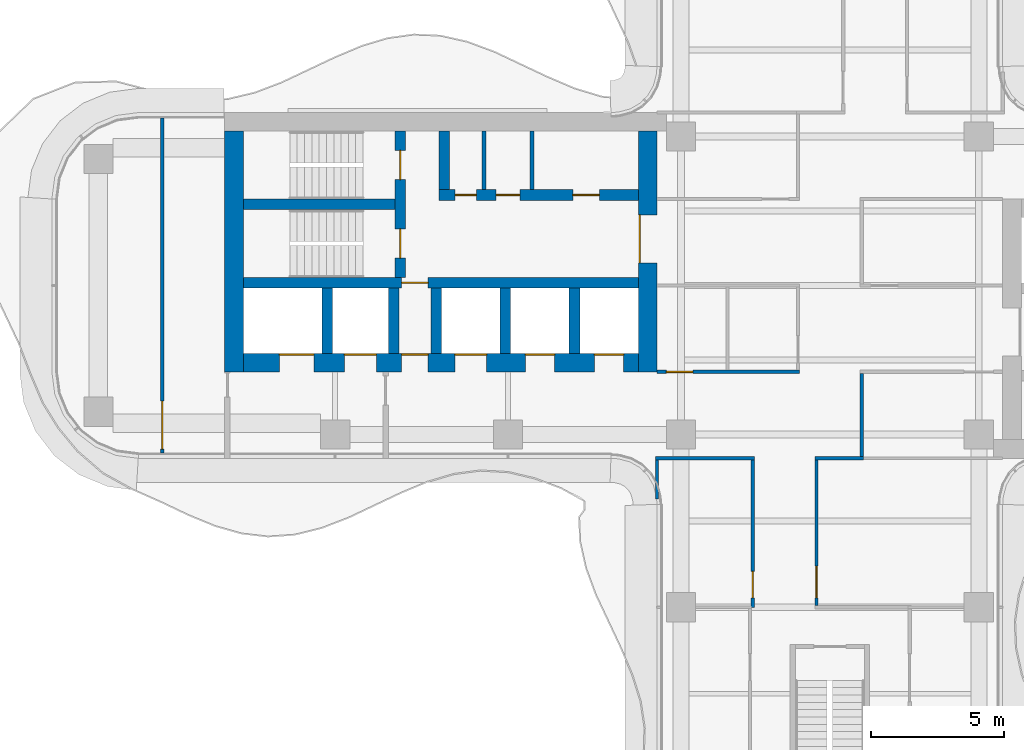
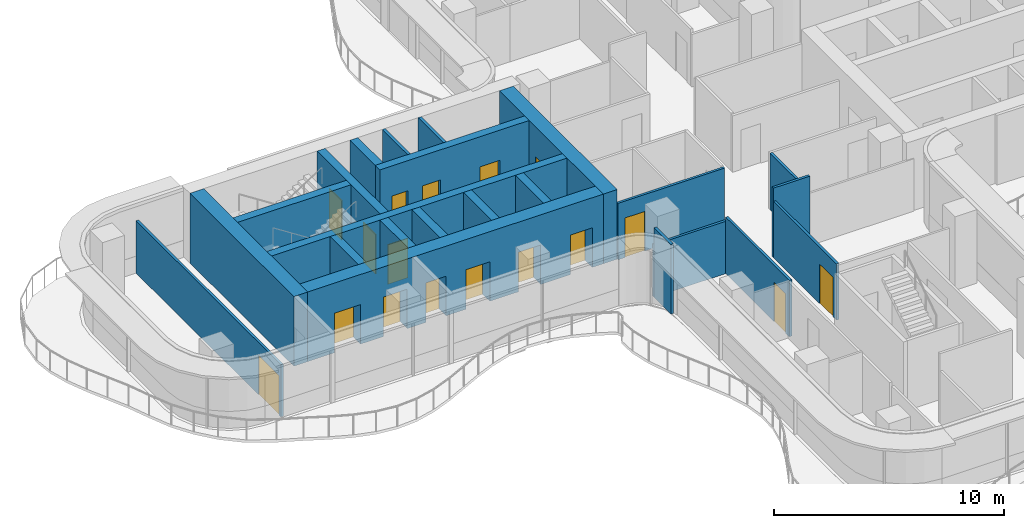
# One storey, part 12 of 17: 23 walls, 17 doors, 17 openings.
"""IFC4 building model written with IfcOpenShell, lengths in metres."""

from ifc_helpers import new_model, si_unit, direction, frame, frame_2d, origin, place, context, subcontext, project, spatial, rectangle, extrude, source, transform, mapped, material, layer, layer_set, type_object, element, fill, save


model = new_model("IFC4")

# Units and contexts
model_context = context("Model", 3, precision=1e-05, world=origin(), true_north=direction((0.0, 1.0)))
body_context = subcontext(model_context, "Body", "Model", "MODEL_VIEW")
ifc_project = project(units=[si_unit("LENGTHUNIT", "METRE"), si_unit("AREAUNIT", "SQUARE_METRE"), si_unit("VOLUMEUNIT", "CUBIC_METRE"), si_unit("PLANEANGLEUNIT", "RADIAN"), si_unit("MASSUNIT", "GRAM", prefix="KILO")], contexts=[model_context])

# Site, building, storey
site_placement = place(None, origin())
site = spatial("IfcSite", under=ifc_project, at=site_placement, CompositionType="ELEMENT")
building_placement = place(site_placement, origin())
building = spatial("IfcBuilding", under=site, at=building_placement, Name="Trellis Farm Tower", CompositionType="ELEMENT")
storey_placement = place(building_placement, frame((0.0, 0.0, 232.39990234375)))
storey = spatial("IfcBuildingStorey", under=building, at=storey_placement, Name="L51", CompositionType="ELEMENT", Elevation=232.39990234375)

# Wall, opening, door
ifc_material_1 = material(Name="Concrete C60/75", Category="concrete")
ifc_layer_1 = layer(ifc_material_1, 0.699951171875)
ifc_layer_set_1 = layer_set([ifc_layer_1], Name="CORE OUTER WALL 700 CONCRETE C60/75")
wall_type_1 = type_object("IfcWallType", Name="CORE OUTER WALL 700 CONCRETE C60/75", PredefinedType="SHEAR", material=ifc_layer_set_1)
shared_shape_1 = source(origin(), body_context, "Body", "SweptSolid", [
    extrude(rectangle(XDim=9.050048828125, YDim=0.699951171875, at=frame_2d((4.52490234375, 0.0))), origin(), (0.0, 0.0, 1.0), 3.7001953125),
])
wall_1_placement = place(storey_placement, frame((-6.85009765625, 5.800048828125, 0.0), z_axis=(0.0, 0.0, 1.0), x_axis=(0.0, -1.0, 0.0)))
wall_1 = element("IfcWall", 1, at=wall_1_placement, inside=storey, type_object=wall_type_1, Name="Core wall", PredefinedType="SHEAR", context=body_context, shape_type="MappedRepresentation", body=[
    mapped(shared_shape_1, transform((0.0, 0.0, 0.0))),
])
shared_shape_2 = source(origin(), body_context, "Body", "SweptSolid", [
    extrude(rectangle(XDim=1.800048828125, YDim=2.10009765625, at=frame_2d((0.89990234375, 1.050048828125))), frame((0.0, 0.360107421875, 0.0), z_axis=(0.0, -1.0, 0.0), x_axis=(1.0, 0.0, 0.0)), (0.0, 0.0, 1.0), 0.72021484375),
])
opening_1_placement = place(wall_1_placement, frame((3.14990234375, 0.0, 0.0)))
opening_1 = element("IfcOpeningElement", 2, at=opening_1_placement, cuts=wall_1, Name="Opening DC87", PredefinedType="OPENING", context=body_context, shape_type="MappedRepresentation", body=[
    mapped(shared_shape_2, transform((0.0, 0.0, 0.0))),
])
ifc_material_2 = material(Name="Steel", Category="steel")
door_type_1 = type_object("IfcDoorType", Name="CORE FIRE DOOR DOUBLE 1800 X 2100", OperationType="DOUBLE_DOOR_SINGLE_SWING", PredefinedType="DOOR", material=ifc_material_2)
shared_shape_3 = source(origin(), body_context, "Body", "SweptSolid", [
    extrude(rectangle(XDim=1.800048828125, YDim=2.10009765625, at=frame_2d((0.89990234375, 1.050048828125))), frame((0.0, -0.27490234375, 0.0), z_axis=(0.0, -1.0, 0.0), x_axis=(1.0, 0.0, 0.0)), (0.0, 0.0, 1.0), 0.050048828125),
])
door_1_placement = place(opening_1_placement, origin())
door_1 = element("IfcDoor", 3, at=door_1_placement, inside=storey, type_object=door_type_1, Name="Core door", OperationType="DOUBLE_DOOR_SINGLE_SWING", OverallHeight=2.10009765625, OverallWidth=1.800048828125, PredefinedType="DOOR", context=body_context, shape_type="MappedRepresentation", body=[
    mapped(shared_shape_3, transform((0.0, 0.0, 0.0))),
])
fill(opening_1, door_1)

# Walls
wall_2_placement = place(storey_placement, frame((-22.39990234375, 5.800048828125, 0.0), z_axis=(0.0, 0.0, 1.0), x_axis=(0.0, -1.0, 0.0)))
element("IfcWall", 4, at=wall_2_placement, inside=storey, type_object=wall_type_1, Name="Core wall", PredefinedType="SHEAR", context=body_context, shape_type="MappedRepresentation", body=[
    mapped(shared_shape_1, transform((0.0, 0.0, 0.0))),
])
ifc_layer_2 = layer(ifc_material_1, 0.39990234375)
ifc_layer_set_2 = layer_set([ifc_layer_2], Name="CORE INNER WALL 400 CONCRETE C60/75")
wall_type_2 = type_object("IfcWallType", Name="CORE INNER WALL 400 CONCRETE C60/75", PredefinedType="SHEAR", material=ifc_layer_set_2)
shared_shape_4 = source(origin(), body_context, "Body", "SweptSolid", [
    extrude(rectangle(XDim=2.449951171875, YDim=0.39990234375, at=frame_2d((1.22509765625, 0.0))), origin(), (0.0, 0.0, 1.0), 3.7001953125),
])
for number, where, z_axis, x_axis, name in (
    (5, (-9.60009765625, -0.10009765625, 0.0), (0.0, 0.0, 1.0), (0.0, -1.0, 0.0), "Core wall"),
    (6, (-12.199951171875, -0.10009765625, 0.0), (0.0, 0.0, 1.0), (0.0, -1.0, 0.0), "Core wall"),
    (7, (-14.800048828125, -0.10009765625, 0.0), (0.0, 0.0, 1.0), (0.0, -1.0, 0.0), "Core wall"),
    (8, (-16.39990234375, -0.10009765625, 0.0), (0.0, 0.0, 1.0), (0.0, -1.0, 0.0), "Core wall"),
    (9, (-18.89990234375, -0.10009765625, 0.0), (0.0, 0.0, 1.0), (0.0, -1.0, 0.0), "Core wall"),
):
    element("IfcWall", number, at=place(storey_placement, frame(where, z_axis=z_axis, x_axis=x_axis)), inside=storey, type_object=wall_type_2, Name=name, PredefinedType="SHEAR", context=body_context, shape_type="MappedRepresentation", body=[
        mapped(shared_shape_4, transform((0.0, 0.0, 0.0))),
    ])

# Wall, openings, doors
shared_shape_5 = source(origin(), body_context, "Body", "SweptSolid", [
    extrude(rectangle(XDim=14.85009765625, YDim=0.699951171875, at=frame_2d((7.425048828125, 0.0))), origin(), (0.0, 0.0, 1.0), 3.7001953125),
])
wall_3_placement = place(storey_placement, frame((-7.199951171875, -2.89990234375, 0.0), z_axis=(0.0, 0.0, 1.0), x_axis=(-1.0, 0.0, 0.0)))
wall_3 = element("IfcWall", 10, at=wall_3_placement, inside=storey, type_object=wall_type_1, Name="Core wall", PredefinedType="SHEAR", context=body_context, shape_type="MappedRepresentation", body=[
    mapped(shared_shape_5, transform((0.0, 0.0, 0.0))),
])
shared_shape_6 = source(origin(), body_context, "Body", "SweptSolid", [
    extrude(rectangle(XDim=1.10009765625, YDim=2.10009765625, at=frame_2d((0.550048828125, 1.050048828125))), frame((0.0, 0.360107421875, 0.0), z_axis=(0.0, -1.0, 0.0), x_axis=(1.0, 0.0, 0.0)), (0.0, 0.0, 1.0), 0.72021484375),
])
opening_2_placement = place(wall_3_placement, frame((0.550048828125, 0.0, 0.0)))
opening_2 = element("IfcOpeningElement", 11, at=opening_2_placement, cuts=wall_3, Name="Opening LD12", PredefinedType="OPENING", context=body_context, shape_type="MappedRepresentation", body=[
    mapped(shared_shape_6, transform((0.0, 0.0, 0.0))),
])
opening_3_placement = place(wall_3_placement, frame((3.14990234375, 0.0, 0.0)))
opening_3 = element("IfcOpeningElement", 12, at=opening_3_placement, cuts=wall_3, Name="Opening LD13", PredefinedType="OPENING", context=body_context, shape_type="MappedRepresentation", body=[
    mapped(shared_shape_6, transform((0.0, 0.0, 0.0))),
])
shared_shape_7 = source(origin(), body_context, "Body", "SweptSolid", [
    extrude(rectangle(XDim=1.199951171875, YDim=2.10009765625, at=frame_2d((0.60009765625, 1.050048828125))), frame((0.0, 0.360107421875, 0.0), z_axis=(0.0, -1.0, 0.0), x_axis=(1.0, 0.0, 0.0)), (0.0, 0.0, 1.0), 0.72021484375),
])
opening_4_placement = place(wall_3_placement, frame((5.699951171875, 0.0, 0.0)))
opening_4 = element("IfcOpeningElement", 13, at=opening_4_placement, cuts=wall_3, Name="Opening LD14", PredefinedType="OPENING", context=body_context, shape_type="MappedRepresentation", body=[
    mapped(shared_shape_7, transform((0.0, 0.0, 0.0))),
])
shared_shape_8 = source(origin(), body_context, "Body", "SweptSolid", [
    extrude(rectangle(XDim=1.300048828125, YDim=2.10009765625, at=frame_2d((0.64990234375, 1.050048828125))), frame((0.0, 0.360107421875, 0.0), z_axis=(0.0, -1.0, 0.0), x_axis=(1.0, 0.0, 0.0)), (0.0, 0.0, 1.0), 0.72021484375),
])
opening_5_placement = place(wall_3_placement, frame((12.199951171875, 0.0, 0.0)))
opening_5 = element("IfcOpeningElement", 14, at=opening_5_placement, cuts=wall_3, Name="Opening LD15", PredefinedType="OPENING", context=body_context, shape_type="MappedRepresentation", body=[
    mapped(shared_shape_8, transform((0.0, 0.0, 0.0))),
])
opening_6_placement = place(wall_3_placement, frame((9.85009765625, 0.0, 0.0)))
opening_6 = element("IfcOpeningElement", 15, at=opening_6_placement, cuts=wall_3, Name="Opening LD16", PredefinedType="OPENING", context=body_context, shape_type="MappedRepresentation", body=[
    mapped(shared_shape_7, transform((0.0, 0.0, 0.0))),
])
shared_shape_9 = source(origin(), body_context, "Body", "SweptSolid", [
    extrude(rectangle(XDim=1.0, YDim=2.10009765625, at=frame_2d((0.5, 1.050048828125))), frame((0.0, 0.360107421875, 0.0), z_axis=(0.0, -1.0, 0.0), x_axis=(1.0, 0.0, 0.0)), (0.0, 0.0, 1.0), 0.72021484375),
])
opening_7_placement = place(wall_3_placement, frame((7.89990234375, 0.0, 0.0)))
opening_7 = element("IfcOpeningElement", 16, at=opening_7_placement, cuts=wall_3, Name="Opening DC92", PredefinedType="OPENING", context=body_context, shape_type="MappedRepresentation", body=[
    mapped(shared_shape_9, transform((0.0, 0.0, 0.0))),
])
door_type_2 = type_object("IfcDoorType", Name="CORE FIRE DOOR 1000 X 2100", OperationType="NOTDEFINED", PredefinedType="DOOR", material=ifc_material_2)
shared_shape_10 = source(origin(), body_context, "Body", "SweptSolid", [
    extrude(rectangle(XDim=1.0, YDim=2.10009765625, at=frame_2d((0.5, 1.050048828125))), frame((0.0, -0.27490234375, 0.0), z_axis=(0.0, -1.0, 0.0), x_axis=(1.0, 0.0, 0.0)), (0.0, 0.0, 1.0), 0.050048828125),
])
door_2_placement = place(opening_7_placement, origin())
door_2 = element("IfcDoor", 17, at=door_2_placement, inside=storey, type_object=door_type_2, Name="Core door", OperationType="SINGLE_SWING_LEFT", OverallHeight=2.10009765625, OverallWidth=1.0, PredefinedType="DOOR", context=body_context, shape_type="MappedRepresentation", body=[
    mapped(shared_shape_10, transform((0.0, 0.0, 0.0))),
])
fill(opening_7, door_2)
ifc_material_3 = material(Name="Stainless steel", Category="steel")
door_type_3 = type_object("IfcDoorType", Name="LIFT LANDING DOOR 1300 X 2100", OperationType="DOUBLE_DOOR_SLIDING", PredefinedType="DOOR", material=ifc_material_3)
shared_shape_11 = source(origin(), body_context, "Body", "SweptSolid", [
    extrude(rectangle(XDim=1.300048828125, YDim=2.10009765625, at=frame_2d((0.64990234375, 1.050048828125))), frame((0.0, -0.27490234375, 0.0), z_axis=(0.0, -1.0, 0.0), x_axis=(1.0, 0.0, 0.0)), (0.0, 0.0, 1.0), 0.050048828125),
])
door_3_placement = place(opening_5_placement, origin())
door_3 = element("IfcDoor", 18, at=door_3_placement, inside=storey, type_object=door_type_3, Name="Lift landing door", OperationType="DOUBLE_DOOR_SLIDING", OverallHeight=2.10009765625, OverallWidth=1.300048828125, PredefinedType="DOOR", context=body_context, shape_type="MappedRepresentation", body=[
    mapped(shared_shape_11, transform((0.0, 0.0, 0.0))),
])
fill(opening_5, door_3)
door_type_4 = type_object("IfcDoorType", Name="LIFT LANDING DOOR 1200 X 2100", OperationType="DOUBLE_DOOR_SLIDING", PredefinedType="DOOR", material=ifc_material_3)
shared_shape_12 = source(origin(), body_context, "Body", "SweptSolid", [
    extrude(rectangle(XDim=1.199951171875, YDim=2.10009765625, at=frame_2d((0.60009765625, 1.050048828125))), frame((0.0, -0.27490234375, 0.0), z_axis=(0.0, -1.0, 0.0), x_axis=(1.0, 0.0, 0.0)), (0.0, 0.0, 1.0), 0.050048828125),
])
door_4_placement = place(opening_4_placement, origin())
door_4 = element("IfcDoor", 19, at=door_4_placement, inside=storey, type_object=door_type_4, Name="Lift landing door", OperationType="DOUBLE_DOOR_SLIDING", OverallHeight=2.10009765625, OverallWidth=1.199951171875, PredefinedType="DOOR", context=body_context, shape_type="MappedRepresentation", body=[
    mapped(shared_shape_12, transform((0.0, 0.0, 0.0))),
])
fill(opening_4, door_4)
door_5_placement = place(opening_6_placement, origin())
door_5 = element("IfcDoor", 20, at=door_5_placement, inside=storey, type_object=door_type_4, Name="Lift landing door", OperationType="DOUBLE_DOOR_SLIDING", OverallHeight=2.10009765625, OverallWidth=1.199951171875, PredefinedType="DOOR", context=body_context, shape_type="MappedRepresentation", body=[
    mapped(shared_shape_12, transform((0.0, 0.0, 0.0))),
])
fill(opening_6, door_5)
door_type_5 = type_object("IfcDoorType", Name="LIFT LANDING DOOR 1100 X 2100", OperationType="DOUBLE_DOOR_SLIDING", PredefinedType="DOOR", material=ifc_material_3)
shared_shape_13 = source(origin(), body_context, "Body", "SweptSolid", [
    extrude(rectangle(XDim=1.10009765625, YDim=2.10009765625, at=frame_2d((0.550048828125, 1.050048828125))), frame((0.0, -0.27490234375, 0.0), z_axis=(0.0, -1.0, 0.0), x_axis=(1.0, 0.0, 0.0)), (0.0, 0.0, 1.0), 0.050048828125),
])
door_6_placement = place(opening_2_placement, origin())
door_6 = element("IfcDoor", 21, at=door_6_placement, inside=storey, type_object=door_type_5, Name="Lift landing door", OperationType="DOUBLE_DOOR_SLIDING", OverallHeight=2.10009765625, OverallWidth=1.10009765625, PredefinedType="DOOR", context=body_context, shape_type="MappedRepresentation", body=[
    mapped(shared_shape_13, transform((0.0, 0.0, 0.0))),
])
fill(opening_2, door_6)
door_7_placement = place(opening_3_placement, origin())
door_7 = element("IfcDoor", 22, at=door_7_placement, inside=storey, type_object=door_type_5, Name="Lift landing door", OperationType="DOUBLE_DOOR_SLIDING", OverallHeight=2.10009765625, OverallWidth=1.10009765625, PredefinedType="DOOR", context=body_context, shape_type="MappedRepresentation", body=[
    mapped(shared_shape_13, transform((0.0, 0.0, 0.0))),
])
fill(opening_3, door_7)

shared_shape_14 = source(origin(), body_context, "Body", "SweptSolid", [
    extrude(rectangle(XDim=7.5, YDim=0.39990234375, at=frame_2d((3.75, 0.0))), origin(), (0.0, 0.0, 1.0), 3.7001953125),
])
wall_4_placement = place(storey_placement, frame((-7.199951171875, 3.39990234375, 0.0), z_axis=(0.0, 0.0, 1.0), x_axis=(-1.0, 0.0, 0.0)))
wall_4 = element("IfcWall", 23, at=wall_4_placement, inside=storey, type_object=wall_type_2, Name="Core wall", PredefinedType="SHEAR", context=body_context, shape_type="MappedRepresentation", body=[
    mapped(shared_shape_14, transform((0.0, 0.0, 0.0))),
])
shared_shape_15 = source(origin(), body_context, "Body", "SweptSolid", [
    extrude(rectangle(XDim=1.0, YDim=2.10009765625, at=frame_2d((0.5, 1.050048828125))), frame((0.0, 0.2099609375, 0.0), z_axis=(0.0, -1.0, 0.0), x_axis=(1.0, 0.0, 0.0)), (0.0, 0.0, 1.0), 0.419921875),
])
opening_8_placement = place(wall_4_placement, frame((1.46240234375, 0.0, 0.0)))
opening_8 = element("IfcOpeningElement", 24, at=opening_8_placement, cuts=wall_4, Name="Opening DC141", PredefinedType="OPENING", context=body_context, shape_type="MappedRepresentation", body=[
    mapped(shared_shape_15, transform((0.0, 0.0, 0.0))),
])
shared_shape_16 = source(origin(), body_context, "Body", "SweptSolid", [
    extrude(rectangle(XDim=0.89990234375, YDim=2.10009765625, at=frame_2d((0.449951171875, 1.050048828125))), frame((0.0, 0.2099609375, 0.0), z_axis=(0.0, -1.0, 0.0), x_axis=(1.0, 0.0, 0.0)), (0.0, 0.0, 1.0), 0.419921875),
])
opening_9_placement = place(wall_4_placement, frame((4.449951171875, 0.0, 0.0)))
opening_9 = element("IfcOpeningElement", 25, at=opening_9_placement, cuts=wall_4, Name="Opening DC146", PredefinedType="OPENING", context=body_context, shape_type="MappedRepresentation", body=[
    mapped(shared_shape_16, transform((0.0, 0.0, 0.0))),
])
shared_shape_17 = source(origin(), body_context, "Body", "SweptSolid", [
    extrude(rectangle(XDim=0.800048828125, YDim=2.10009765625, at=frame_2d((0.39990234375, 1.050048828125))), frame((0.0, 0.2099609375, 0.0), z_axis=(0.0, -1.0, 0.0), x_axis=(1.0, 0.0, 0.0)), (0.0, 0.0, 1.0), 0.419921875),
])
opening_10_placement = place(wall_4_placement, frame((6.08740234375, 0.0, 0.0)))
opening_10 = element("IfcOpeningElement", 26, at=opening_10_placement, cuts=wall_4, Name="Opening DC149", PredefinedType="OPENING", context=body_context, shape_type="MappedRepresentation", body=[
    mapped(shared_shape_17, transform((0.0, 0.0, 0.0))),
])
shared_shape_18 = source(origin(), body_context, "Body", "SweptSolid", [
    extrude(rectangle(XDim=1.0, YDim=2.10009765625, at=frame_2d((0.5, 1.050048828125))), frame((0.0, 0.02490234375, 0.0), z_axis=(0.0, -1.0, 0.0), x_axis=(1.0, 0.0, 0.0)), (0.0, 0.0, 1.0), 0.050048828125),
])
door_8_placement = place(opening_8_placement, origin())
door_8 = element("IfcDoor", 27, at=door_8_placement, inside=storey, type_object=door_type_2, Name="Core door", OperationType="SINGLE_SWING_LEFT", OverallHeight=2.10009765625, OverallWidth=1.0, PredefinedType="DOOR", context=body_context, shape_type="MappedRepresentation", body=[
    mapped(shared_shape_18, transform((0.0, 0.0, 0.0))),
])
fill(opening_8, door_8)
door_type_6 = type_object("IfcDoorType", Name="CORE FIRE DOOR 900 X 2100", OperationType="NOTDEFINED", PredefinedType="DOOR", material=ifc_material_2)
shared_shape_19 = source(origin(), body_context, "Body", "SweptSolid", [
    extrude(rectangle(XDim=0.89990234375, YDim=2.10009765625, at=frame_2d((0.449951171875, 1.050048828125))), frame((0.0, 0.02490234375, 0.0), z_axis=(0.0, -1.0, 0.0), x_axis=(1.0, 0.0, 0.0)), (0.0, 0.0, 1.0), 0.050048828125),
])
door_9_placement = place(opening_9_placement, origin())
door_9 = element("IfcDoor", 28, at=door_9_placement, inside=storey, type_object=door_type_6, Name="Core door", OperationType="SINGLE_SWING_RIGHT", OverallHeight=2.10009765625, OverallWidth=0.89990234375, PredefinedType="DOOR", context=body_context, shape_type="MappedRepresentation", body=[
    mapped(shared_shape_19, transform((0.0, 0.0, 0.0))),
])
fill(opening_9, door_9)
door_type_7 = type_object("IfcDoorType", Name="CORE FIRE DOOR 800 X 2100", OperationType="NOTDEFINED", PredefinedType="DOOR", material=ifc_material_2)
shared_shape_20 = source(origin(), body_context, "Body", "SweptSolid", [
    extrude(rectangle(XDim=0.800048828125, YDim=2.10009765625, at=frame_2d((0.39990234375, 1.050048828125))), frame((0.0, 0.02490234375, 0.0), z_axis=(0.0, -1.0, 0.0), x_axis=(1.0, 0.0, 0.0)), (0.0, 0.0, 1.0), 0.050048828125),
])
door_10_placement = place(opening_10_placement, origin())
door_10 = element("IfcDoor", 29, at=door_10_placement, inside=storey, type_object=door_type_7, Name="Core door", OperationType="SINGLE_SWING_LEFT", OverallHeight=2.10009765625, OverallWidth=0.800048828125, PredefinedType="DOOR", context=body_context, shape_type="MappedRepresentation", body=[
    mapped(shared_shape_20, transform((0.0, 0.0, 0.0))),
])
fill(opening_10, door_10)

# Wall, opening, door
shared_shape_21 = source(origin(), body_context, "Body", "SweptSolid", [
    extrude(rectangle(XDim=14.85009765625, YDim=0.39990234375, at=frame_2d((7.425048828125, 0.0))), origin(), (0.0, 0.0, 1.0), 3.7001953125),
])
wall_5_placement = place(storey_placement, frame((-7.199951171875, 0.10009765625, 0.0), z_axis=(0.0, 0.0, 1.0), x_axis=(-1.0, 0.0, 0.0)))
wall_5 = element("IfcWall", 30, at=wall_5_placement, inside=storey, type_object=wall_type_2, Name="Core wall", PredefinedType="SHEAR", context=body_context, shape_type="MappedRepresentation", body=[
    mapped(shared_shape_21, transform((0.0, 0.0, 0.0))),
])
opening_11_placement = place(wall_5_placement, frame((7.89990234375, 0.0, 0.0)))
opening_11 = element("IfcOpeningElement", 31, at=opening_11_placement, cuts=wall_5, Name="Opening DC91", PredefinedType="OPENING", context=body_context, shape_type="MappedRepresentation", body=[
    mapped(shared_shape_15, transform((0.0, 0.0, 0.0))),
])
door_11_placement = place(opening_11_placement, origin())
door_11 = element("IfcDoor", 32, at=door_11_placement, inside=storey, type_object=door_type_2, Name="Core door", OperationType="SINGLE_SWING_RIGHT", OverallHeight=2.10009765625, OverallWidth=1.0, PredefinedType="DOOR", context=body_context, shape_type="MappedRepresentation", body=[
    mapped(shared_shape_18, transform((0.0, 0.0, 0.0))),
])
fill(opening_11, door_11)

# Wall, openings, doors
shared_shape_22 = source(origin(), body_context, "Body", "SweptSolid", [
    extrude(rectangle(XDim=5.5, YDim=0.39990234375, at=frame_2d((2.75, 0.0))), origin(), (0.0, 0.0, 1.0), 3.7001953125),
])
wall_6_placement = place(storey_placement, frame((-16.14990234375, 5.800048828125, 0.0), z_axis=(0.0, 0.0, 1.0), x_axis=(0.0, -1.0, 0.0)))
wall_6 = element("IfcWall", 33, at=wall_6_placement, inside=storey, type_object=wall_type_2, Name="Core wall", PredefinedType="SHEAR", context=body_context, shape_type="MappedRepresentation", body=[
    mapped(shared_shape_22, transform((0.0, 0.0, 0.0))),
])
shared_shape_23 = source(origin(), body_context, "Body", "SweptSolid", [
    extrude(rectangle(XDim=1.10009765625, YDim=2.10009765625, at=frame_2d((0.550048828125, 1.050048828125))), frame((0.0, 0.2099609375, 0.0), z_axis=(0.0, -1.0, 0.0), x_axis=(1.0, 0.0, 0.0)), (0.0, 0.0, 1.0), 0.419921875),
])
opening_12_placement = place(wall_6_placement, frame((0.72509765625, 0.0, 0.0)))
opening_12 = element("IfcOpeningElement", 34, at=opening_12_placement, cuts=wall_6, Name="Opening DC88", PredefinedType="OPENING", context=body_context, shape_type="MappedRepresentation", body=[
    mapped(shared_shape_23, transform((0.0, 0.0, 0.0))),
])
opening_13_placement = place(wall_6_placement, frame((3.675048828125, 0.0, 0.0)))
opening_13 = element("IfcOpeningElement", 35, at=opening_13_placement, cuts=wall_6, Name="Opening DC89", PredefinedType="OPENING", context=body_context, shape_type="MappedRepresentation", body=[
    mapped(shared_shape_23, transform((0.0, 0.0, 0.0))),
])
door_type_8 = type_object("IfcDoorType", Name="CORE FIRE DOOR 1100 X 2100", OperationType="NOTDEFINED", PredefinedType="DOOR", material=ifc_material_2)
shared_shape_24 = source(origin(), body_context, "Body", "SweptSolid", [
    extrude(rectangle(XDim=1.10009765625, YDim=2.10009765625, at=frame_2d((0.550048828125, 1.050048828125))), frame((0.0, 0.02490234375, 0.0), z_axis=(0.0, -1.0, 0.0), x_axis=(1.0, 0.0, 0.0)), (0.0, 0.0, 1.0), 0.050048828125),
])
door_12_placement = place(opening_12_placement, origin())
door_12 = element("IfcDoor", 36, at=door_12_placement, inside=storey, type_object=door_type_8, Name="Core door", OperationType="SINGLE_SWING_RIGHT", OverallHeight=2.10009765625, OverallWidth=1.10009765625, PredefinedType="DOOR", context=body_context, shape_type="MappedRepresentation", body=[
    mapped(shared_shape_24, transform((0.0, 0.0, 0.0))),
])
fill(opening_12, door_12)
door_13_placement = place(opening_13_placement, origin())
door_13 = element("IfcDoor", 37, at=door_13_placement, inside=storey, type_object=door_type_8, Name="Core door", OperationType="SINGLE_SWING_LEFT", OverallHeight=2.10009765625, OverallWidth=1.10009765625, PredefinedType="DOOR", context=body_context, shape_type="MappedRepresentation", body=[
    mapped(shared_shape_24, transform((0.0, 0.0, 0.0))),
])
fill(opening_13, door_13)

# Walls
shared_shape_25 = source(origin(), body_context, "Body", "SweptSolid", [
    extrude(rectangle(XDim=5.699951171875, YDim=0.39990234375, at=frame_2d((2.85009765625, 0.0))), origin(), (0.0, 0.0, 1.0), 3.7001953125),
])
wall_7_placement = place(storey_placement, frame((-16.35009765625, 3.050048828125, 0.0), z_axis=(0.0, 0.0, 1.0), x_axis=(-1.0, 0.0, 0.0)))
element("IfcWall", 38, at=wall_7_placement, inside=storey, type_object=wall_type_2, Name="Core wall", PredefinedType="SHEAR", context=body_context, shape_type="MappedRepresentation", body=[
    mapped(shared_shape_25, transform((0.0, 0.0, 0.0))),
])
shared_shape_26 = source(origin(), body_context, "Body", "SweptSolid", [
    extrude(rectangle(XDim=2.199951171875, YDim=0.39990234375, at=frame_2d((1.10009765625, 0.0))), origin(), (0.0, 0.0, 1.0), 3.7001953125),
])
wall_8_placement = place(storey_placement, frame((-14.5, 5.800048828125, 0.0), z_axis=(0.0, 0.0, 1.0), x_axis=(0.0, -1.0, 0.0)))
element("IfcWall", 39, at=wall_8_placement, inside=storey, type_object=wall_type_2, Name="Core wall", PredefinedType="SHEAR", context=body_context, shape_type="MappedRepresentation", body=[
    mapped(shared_shape_26, transform((0.0, 0.0, 0.0))),
])
ifc_material_4 = material(Name="Masonry blockwork", Category="masonry")
ifc_layer_3 = layer(ifc_material_4, 0.14990234375)
ifc_layer_set_3 = layer_set([ifc_layer_3], Name="CORE PARTITION 150 BLOCKWORK")
wall_type_3 = type_object("IfcWallType", Name="CORE PARTITION 150 BLOCKWORK", PredefinedType="PARTITIONING", material=ifc_layer_set_3)
shared_shape_27 = source(origin(), body_context, "Body", "SweptSolid", [
    extrude(rectangle(XDim=2.199951171875, YDim=0.14990234375, at=frame_2d((1.10009765625, 0.0))), origin(), (0.0, 0.0, 1.0), 3.7001953125),
])
for number, where, z_axis, x_axis, name in (
    (40, (-11.199951171875, 5.800048828125, 0.0), (0.0, 0.0, 1.0), (0.0, -1.0, 0.0), "Core room partition"),
    (41, (-13.0, 5.800048828125, 0.0), (0.0, 0.0, 1.0), (0.0, -1.0, 0.0), "Core room partition"),
):
    element("IfcWall", number, at=place(storey_placement, frame(where, z_axis=z_axis, x_axis=x_axis)), inside=storey, type_object=wall_type_3, Name=name, PredefinedType="PARTITIONING", context=body_context, shape_type="MappedRepresentation", body=[
        mapped(shared_shape_27, transform((0.0, 0.0, 0.0))),
    ])

# Wall, opening, door
ifc_material_5 = material(Name="Plasterboard on steel studs, mineral wool", Category="steel")
ifc_layer_4 = layer(ifc_material_5, 0.125)
ifc_layer_set_4 = layer_set([ifc_layer_4], Name="PARTITION 125 STUD EI 60")
wall_type_4 = type_object("IfcWallType", Name="PARTITION 125 STUD EI 60", PredefinedType="PARTITIONING", material=ifc_layer_set_4)
shared_shape_28 = source(origin(), body_context, "Body", "SweptSolid", [
    extrude(rectangle(XDim=5.47509765625, YDim=0.125, at=frame_2d((2.737548828125, 0.0))), origin(), (0.0, 0.0, 1.0), 2.99658203125),
])
wall_9_placement = place(storey_placement, frame((-0.5, -6.5625, 0.0), z_axis=(0.0, 0.0, 1.0), x_axis=(0.0, -1.0, 0.0)))
wall_9 = element("IfcWall", 42, at=wall_9_placement, inside=storey, type_object=wall_type_4, Name="Partition PW1", PredefinedType="PARTITIONING", context=body_context, shape_type="MappedRepresentation", body=[
    mapped(shared_shape_28, transform((0.0, 0.0, 0.0))),
])
shared_shape_29 = source(origin(), body_context, "Body", "SweptSolid", [
    extrude(rectangle(XDim=1.199951171875, YDim=2.10009765625, at=frame_2d((0.60009765625, 1.050048828125))), frame((0.0, 0.072509765625, 0.0), z_axis=(0.0, -1.0, 0.0), x_axis=(1.0, 0.0, 0.0)), (0.0, 0.0, 1.0), 0.14501953125),
])
opening_14_placement = place(wall_9_placement, frame((3.987548828125, 0.0, 0.0)))
opening_14 = element("IfcOpeningElement", 43, at=opening_14_placement, cuts=wall_9, Name="Opening D601", PredefinedType="OPENING", context=body_context, shape_type="MappedRepresentation", body=[
    mapped(shared_shape_29, transform((0.0, 0.0, 0.0))),
])
ifc_material_6 = material(Name="Fire-rated timber door leaf in a hollow metal frame", Category="wood")
door_type_9 = type_object("IfcDoorType", Name="DOOR 1200x2100 FD30S", OperationType="NOTDEFINED", PredefinedType="DOOR", material=ifc_material_6)
shared_shape_30 = source(origin(), body_context, "Body", "SweptSolid", [
    extrude(rectangle(XDim=1.199951171875, YDim=2.10009765625, at=frame_2d((0.60009765625, 1.050048828125))), frame((0.0, 0.02490234375, 0.0), z_axis=(0.0, -1.0, 0.0), x_axis=(1.0, 0.0, 0.0)), (0.0, 0.0, 1.0), 0.050048828125),
])
door_14_placement = place(opening_14_placement, origin())
door_14 = element("IfcDoor", 44, at=door_14_placement, inside=storey, type_object=door_type_9, Name="Door D601", OperationType="SINGLE_SWING_RIGHT", OverallHeight=2.10009765625, OverallWidth=1.199951171875, PredefinedType="DOOR", context=body_context, shape_type="MappedRepresentation", body=[
    mapped(shared_shape_30, transform((0.0, 0.0, 0.0))),
])
fill(opening_14, door_14)

# Wall
shared_shape_31 = source(origin(), body_context, "Body", "SweptSolid", [
    extrude(rectangle(XDim=3.137451171875, YDim=0.125, at=frame_2d((1.56884765625, 0.0))), origin(), (0.0, 0.0, 1.0), 2.99658203125),
])
wall_10_placement = place(storey_placement, frame((1.199951171875, -3.3125, 0.0), z_axis=(0.0, 0.0, 1.0), x_axis=(0.0, -1.0, 0.0)))
element("IfcWall", 45, at=wall_10_placement, inside=storey, type_object=wall_type_4, Name="Partition PW1", PredefinedType="PARTITIONING", context=body_context, shape_type="MappedRepresentation", body=[
    mapped(shared_shape_31, transform((0.0, 0.0, 0.0))),
])

# Wall, opening, door
shared_shape_32 = source(origin(), body_context, "Body", "SweptSolid", [
    extrude(rectangle(XDim=5.53759765625, YDim=0.125, at=frame_2d((2.768798828125, 0.0))), origin(), (0.0, 0.0, 1.0), 2.99658203125),
])
wall_11_placement = place(storey_placement, frame((-2.89990234375, -12.10009765625, 0.0), z_axis=(0.0, 0.0, 1.0), x_axis=(0.0, 1.0, 0.0)))
wall_11 = element("IfcWall", 46, at=wall_11_placement, inside=storey, type_object=wall_type_4, Name="Partition PW1", PredefinedType="PARTITIONING", context=body_context, shape_type="MappedRepresentation", body=[
    mapped(shared_shape_32, transform((0.0, 0.0, 0.0))),
])
shared_shape_33 = source(origin(), body_context, "Body", "SweptSolid", [
    extrude(rectangle(XDim=1.0, YDim=2.10009765625, at=frame_2d((0.5, 1.050048828125))), frame((0.0, 0.072509765625, 0.0), z_axis=(0.0, -1.0, 0.0), x_axis=(1.0, 0.0, 0.0)), (0.0, 0.0, 1.0), 0.14501953125),
])
opening_15_placement = place(wall_11_placement, frame((0.35009765625, 0.0, 0.0)))
opening_15 = element("IfcOpeningElement", 47, at=opening_15_placement, cuts=wall_11, Name="Opening D103", PredefinedType="OPENING", context=body_context, shape_type="MappedRepresentation", body=[
    mapped(shared_shape_33, transform((0.0, 0.0, 0.0))),
])
door_type_10 = type_object("IfcDoorType", Name="DOOR 1000x2100 FD30S", OperationType="NOTDEFINED", PredefinedType="DOOR", material=ifc_material_6)
door_15_placement = place(opening_15_placement, origin())
door_15 = element("IfcDoor", 48, at=door_15_placement, inside=storey, type_object=door_type_10, Name="Door D103", OperationType="SINGLE_SWING_LEFT", OverallHeight=2.10009765625, OverallWidth=1.0, PredefinedType="DOOR", context=body_context, shape_type="MappedRepresentation", body=[
    mapped(shared_shape_18, transform((0.0, 0.0, 0.0))),
])
fill(opening_15, door_15)

shared_shape_34 = source(origin(), body_context, "Body", "SweptSolid", [
    extrude(rectangle(XDim=12.60009765625, YDim=0.125, at=frame_2d((6.300048828125, 0.0))), origin(), (0.0, 0.0, 1.0), 2.780029296875),
])
wall_12_placement = place(storey_placement, frame((-25.10009765625, -6.300048828125, 0.0), z_axis=(0.0, 0.0, 1.0), x_axis=(0.0, 1.0, 0.0)))
wall_12 = element("IfcWall", 49, at=wall_12_placement, inside=storey, type_object=wall_type_4, Name="Partition PW1", PredefinedType="PARTITIONING", context=body_context, shape_type="MappedRepresentation", body=[
    mapped(shared_shape_34, transform((0.0, 0.0, 0.0))),
])
shared_shape_35 = source(origin(), body_context, "Body", "SweptSolid", [
    extrude(rectangle(XDim=1.800048828125, YDim=2.10009765625, at=frame_2d((0.89990234375, 1.050048828125))), frame((0.0, 0.072509765625, 0.0), z_axis=(0.0, -1.0, 0.0), x_axis=(1.0, 0.0, 0.0)), (0.0, 0.0, 1.0), 0.14501953125),
])
opening_16_placement = place(wall_12_placement, frame((0.14990234375, 0.0, 0.0)))
opening_16 = element("IfcOpeningElement", 50, at=opening_16_placement, cuts=wall_12, Name="Opening D202", PredefinedType="OPENING", context=body_context, shape_type="MappedRepresentation", body=[
    mapped(shared_shape_35, transform((0.0, 0.0, 0.0))),
])
door_type_11 = type_object("IfcDoorType", Name="DOOR PAIR 1800x2100 FD30S", OperationType="NOTDEFINED", PredefinedType="DOOR", material=ifc_material_6)
shared_shape_36 = source(origin(), body_context, "Body", "SweptSolid", [
    extrude(rectangle(XDim=1.800048828125, YDim=2.10009765625, at=frame_2d((0.89990234375, 1.050048828125))), frame((0.0, 0.02490234375, 0.0), z_axis=(0.0, -1.0, 0.0), x_axis=(1.0, 0.0, 0.0)), (0.0, 0.0, 1.0), 0.050048828125),
])
door_16_placement = place(opening_16_placement, origin())
door_16 = element("IfcDoor", 51, at=door_16_placement, inside=storey, type_object=door_type_11, Name="Door D202", OperationType="DOUBLE_DOOR_SINGLE_SWING", OverallHeight=2.10009765625, OverallWidth=1.800048828125, PredefinedType="DOOR", context=body_context, shape_type="MappedRepresentation", body=[
    mapped(shared_shape_36, transform((0.0, 0.0, 0.0))),
])
fill(opening_16, door_16)

shared_shape_37 = source(origin(), body_context, "Body", "SweptSolid", [
    extrude(rectangle(XDim=5.362548828125, YDim=0.125, at=frame_2d((2.68115234375, 0.0))), origin(), (0.0, 0.0, 1.0), 2.99658203125),
])
wall_13_placement = place(storey_placement, frame((-1.137451171875, -3.25, 0.0), z_axis=(0.0, 0.0, 1.0), x_axis=(-1.0, 0.0, 0.0)))
wall_13 = element("IfcWall", 52, at=wall_13_placement, inside=storey, type_object=wall_type_4, Name="Partition PW1", PredefinedType="PARTITIONING", context=body_context, shape_type="MappedRepresentation", body=[
    mapped(shared_shape_37, transform((0.0, 0.0, 0.0))),
])
opening_17_placement = place(wall_13_placement, frame((4.012451171875, 0.0, 0.0)))
opening_17 = element("IfcOpeningElement", 53, at=opening_17_placement, cuts=wall_13, Name="Opening D104", PredefinedType="OPENING", context=body_context, shape_type="MappedRepresentation", body=[
    mapped(shared_shape_33, transform((0.0, 0.0, 0.0))),
])
door_17_placement = place(opening_17_placement, origin())
door_17 = element("IfcDoor", 54, at=door_17_placement, inside=storey, type_object=door_type_10, Name="Door D104", OperationType="SINGLE_SWING_RIGHT", OverallHeight=2.10009765625, OverallWidth=1.0, PredefinedType="DOOR", context=body_context, shape_type="MappedRepresentation", body=[
    mapped(shared_shape_18, transform((0.0, 0.0, 0.0))),
])
fill(opening_17, door_17)

# Walls
shared_shape_38 = source(origin(), body_context, "Body", "SweptSolid", [
    extrude(rectangle(XDim=3.72509765625, YDim=0.125, at=frame_2d((1.862548828125, 0.0))), origin(), (0.0, 0.0, 1.0), 2.780029296875),
])
wall_14_placement = place(storey_placement, frame((-2.83740234375, -6.5, 0.0), z_axis=(0.0, 0.0, 1.0), x_axis=(-1.0, 0.0, 0.0)))
element("IfcWall", 55, at=wall_14_placement, inside=storey, type_object=wall_type_4, Name="Partition PW1", PredefinedType="PARTITIONING", context=body_context, shape_type="MappedRepresentation", body=[
    mapped(shared_shape_38, transform((0.0, 0.0, 0.0))),
])
shared_shape_39 = source(origin(), body_context, "Body", "SweptSolid", [
    extrude(rectangle(XDim=1.468994140625, YDim=0.125, at=frame_2d((0.734375, 0.0))), origin(), (0.0, 0.0, 1.0), 3.7001953125),
])
wall_15_placement = place(storey_placement, frame((-6.5, -6.5625, 0.0), z_axis=(0.0, 0.0, 1.0), x_axis=(0.0, -1.0, 0.0)))
element("IfcWall", 56, at=wall_15_placement, inside=storey, type_object=wall_type_4, Name="Partition PW1", PredefinedType="PARTITIONING", context=body_context, shape_type="MappedRepresentation", body=[
    mapped(shared_shape_39, transform((0.0, 0.0, 0.0))),
])
shared_shape_40 = source(origin(), body_context, "Body", "SweptSolid", [
    extrude(rectangle(XDim=1.824951171875, YDim=0.125, at=frame_2d((0.91259765625, 0.0))), origin(), (0.0, 0.0, 1.0), 3.7001953125),
])
wall_16_placement = place(storey_placement, frame((1.262451171875, -6.5, 0.0), z_axis=(0.0, 0.0, 1.0), x_axis=(-1.0, 0.0, 0.0)))
element("IfcWall", 57, at=wall_16_placement, inside=storey, type_object=wall_type_4, Name="Partition PW1", PredefinedType="PARTITIONING", context=body_context, shape_type="MappedRepresentation", body=[
    mapped(shared_shape_40, transform((0.0, 0.0, 0.0))),
])

save(model, "model.ifc")
